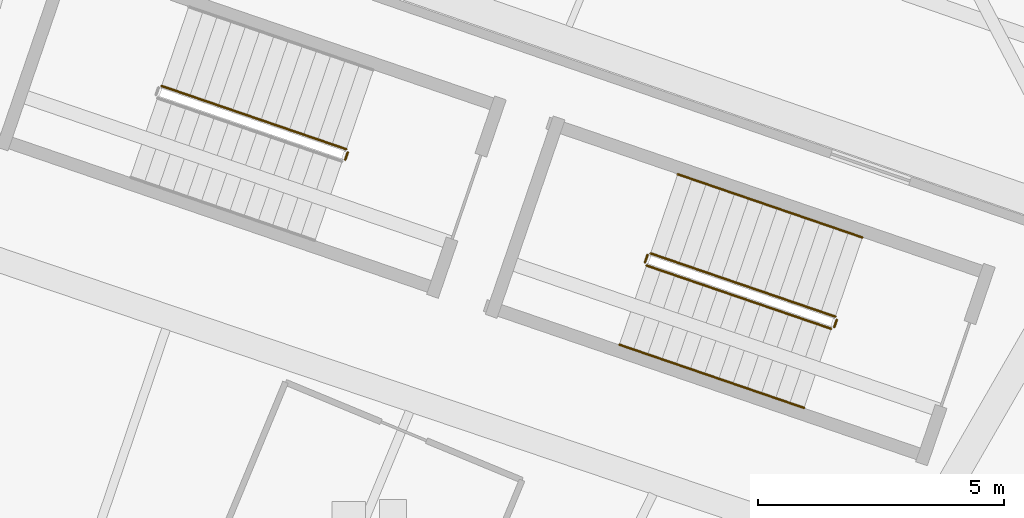
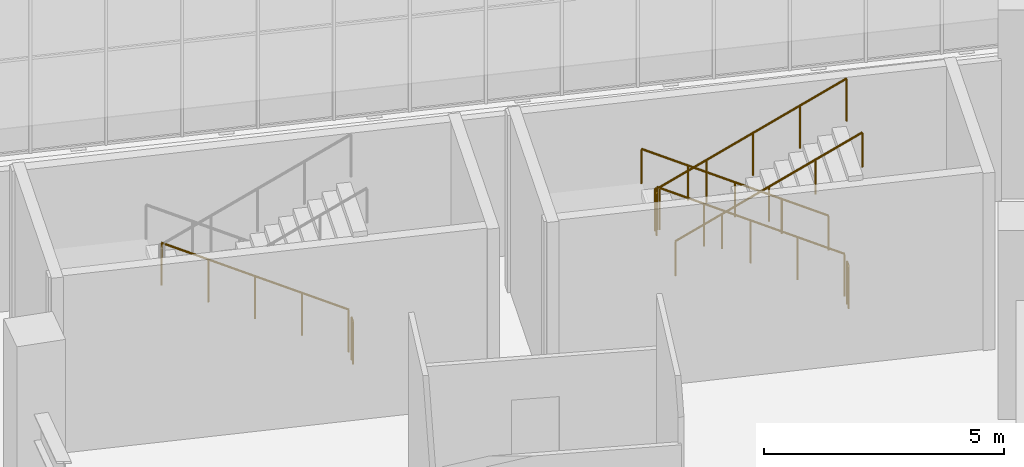
# One storey, part 170 of 179: 8 railings.
"""IFC4 building model written with IfcOpenShell, lengths in metres."""

from ifc_helpers import new_model, si_unit, direction, frame, origin, origin_2d, place, context, subcontext, project, spatial, circle, extrude, material, type_object, element, save


model = new_model("IFC4")

# Units and contexts
model_context = context("Model", 3, precision=1e-05, world=origin(), true_north=direction((0.0, 1.0)))
body_context = subcontext(model_context, "Body", "Model", "MODEL_VIEW")
ifc_project = project(units=[si_unit("LENGTHUNIT", "METRE"), si_unit("AREAUNIT", "SQUARE_METRE"), si_unit("VOLUMEUNIT", "CUBIC_METRE"), si_unit("PLANEANGLEUNIT", "RADIAN"), si_unit("MASSUNIT", "GRAM", prefix="KILO")], contexts=[model_context])

# Site, building, storey
site_placement = place(None, origin())
site = spatial("IfcSite", under=ifc_project, at=site_placement, CompositionType="ELEMENT")
building_placement = place(site_placement, origin())
building = spatial("IfcBuilding", under=site, at=building_placement, Name="Zevraka Park Crest Stadium", CompositionType="ELEMENT")
storey_placement = place(building_placement, frame((0.0, 0.0, 10.199951171875)))
storey = spatial("IfcBuildingStorey", under=building, at=storey_placement, Name="L02", CompositionType="ELEMENT", Elevation=10.199951171875)

# Railings
ifc_material_1 = material(Name="Powder-coated tubular steel stairwell guard", Category="steel")
railing_type_1 = type_object("IfcRailingType", Name="GR03", PredefinedType="GUARDRAIL", material=ifc_material_1)
railing_1_placement = place(storey_placement, frame((151.781982421875, 155.350341796875, 0.17138671875)))
element("IfcRailing", 1, at=railing_1_placement, inside=storey, type_object=railing_type_1, Name="L02 ST05 stair guard 1", PredefinedType="GUARDRAIL", context=body_context, shape_type="SweptSolid", body=[
    extrude(circle(Radius=0.02392578125, at=origin_2d()), frame((0.0, 0.0, 1.076171875), z_axis=(-0.824717605898, 0.282384596462, 0.489999806329), x_axis=(-0.323938619155, -0.946078099852, 0.0)), (0.0, 0.0, 1.0), 4.548583984375),
    extrude(circle(Radius=0.02099609375, at=origin_2d()), origin(), (0.0, 0.0, 1.0), 1.052001953125),
    extrude(circle(Radius=0.02099609375, at=origin_2d()), frame((-0.937744140625, 0.321044921875, 0.55712890625)), (0.0, 0.0, 1.0), 1.052001953125),
    extrude(circle(Radius=0.02099609375, at=origin_2d()), frame((-1.87548828125, 0.64208984375, 1.1142578125)), (0.0, 0.0, 1.0), 1.052001953125),
    extrude(circle(Radius=0.02099609375, at=origin_2d()), frame((-2.8134765625, 0.96337890625, 1.671630859375)), (0.0, 0.0, 1.0), 1.052001953125),
    extrude(circle(Radius=0.02099609375, at=origin_2d()), frame((-3.751220703125, 1.284423828125, 2.228759765625)), (0.0, 0.0, 1.0), 1.052001953125),
])
railing_2_placement = place(storey_placement, frame((147.96728515625, 156.603759765625, 2.400146484375)))
element("IfcRailing", 2, at=railing_2_placement, inside=storey, type_object=railing_type_1, Name="L02 ST05 stair guard 2", PredefinedType="GUARDRAIL", context=body_context, shape_type="SweptSolid", body=[
    extrude(circle(Radius=0.02392578125, at=origin_2d()), frame((0.0, 0.0, 1.076171875), z_axis=(-0.324909238665, -0.945745201748, 0.0), x_axis=(0.945745201748, -0.324909238665, 0.0)), (0.0, 0.0, 1.0), 0.16015625),
    extrude(circle(Radius=0.02099609375, at=origin_2d()), origin(), (0.0, 0.0, 1.0), 1.052001953125),
    extrude(circle(Radius=0.02099609375, at=origin_2d()), frame((-0.052001953125, -0.1513671875, 0.0)), (0.0, 0.0, 1.0), 1.052001953125),
])
railing_3_placement = place(storey_placement, frame((147.946533203125, 156.388916015625, 2.571533203125)))
element("IfcRailing", 3, at=railing_3_placement, inside=storey, type_object=railing_type_1, Name="L02 ST05 stair guard 3", PredefinedType="GUARDRAIL", context=body_context, shape_type="SweptSolid", body=[
    extrude(circle(Radius=0.02392578125, at=origin_2d()), frame((0.0, 0.0, 1.076171875), z_axis=(0.824726794133, -0.282441418206, 0.489951589772), x_axis=(0.32399372979, 0.946059228091, 0.0)), (0.0, 0.0, 1.0), 4.54833984375),
    extrude(circle(Radius=0.02099609375, at=origin_2d()), origin(), (0.0, 0.0, 1.0), 1.052001953125),
    extrude(circle(Radius=0.02099609375, at=origin_2d()), frame((0.937744140625, -0.3212890625, 0.55712890625)), (0.0, 0.0, 1.0), 1.052001953125),
    extrude(circle(Radius=0.02099609375, at=origin_2d()), frame((1.87548828125, -0.642333984375, 1.1142578125)), (0.0, 0.0, 1.0), 1.052001953125),
    extrude(circle(Radius=0.02099609375, at=origin_2d()), frame((2.8134765625, -0.96337890625, 1.67138671875)), (0.0, 0.0, 1.0), 1.052001953125),
    extrude(circle(Radius=0.02099609375, at=origin_2d()), frame((3.751220703125, -1.28466796875, 2.228515625)), (0.0, 0.0, 1.0), 1.052001953125),
])
railing_4_placement = place(storey_placement, frame((151.81298828125, 155.286865234375, 0.0)))
element("IfcRailing", 4, at=railing_4_placement, inside=storey, type_object=railing_type_1, Name="L02 ST05 stair guard 4", PredefinedType="GUARDRAIL", context=body_context, shape_type="SweptSolid", body=[
    extrude(circle(Radius=0.02392578125, at=origin_2d()), frame((0.0, 0.0, 1.076171875), z_axis=(-0.32354385955, -0.946213174156, 0.0), x_axis=(0.946213174156, -0.32354385955, 0.0)), (0.0, 0.0, 1.0), 0.159912109375),
    extrude(circle(Radius=0.02099609375, at=origin_2d()), origin(), (0.0, 0.0, 1.0), 1.052001953125),
    extrude(circle(Radius=0.02099609375, at=origin_2d()), frame((-0.0517578125, -0.1513671875, 0.0)), (0.0, 0.0, 1.0), 1.052001953125),
])
railing_5_placement = place(storey_placement, frame((141.847900390625, 158.751220703125, 0.17138671875)))
element("IfcRailing", 5, at=railing_5_placement, inside=storey, type_object=railing_type_1, Name="L02 ST25 stair guard 1", PredefinedType="GUARDRAIL", context=body_context, shape_type="SweptSolid", body=[
    extrude(circle(Radius=0.02392578125, at=origin_2d()), frame((0.0, 0.0, 1.076171875), z_axis=(-0.824705104737, 0.282433990311, 0.489992378857), x_axis=(-0.32399372979, -0.946059228091, 0.0)), (0.0, 0.0, 1.0), 4.548583984375),
    extrude(circle(Radius=0.02099609375, at=origin_2d()), origin(), (0.0, 0.0, 1.0), 1.052001953125),
    extrude(circle(Radius=0.02099609375, at=origin_2d()), frame((-0.937744140625, 0.3212890625, 0.55712890625)), (0.0, 0.0, 1.0), 1.052001953125),
    extrude(circle(Radius=0.02099609375, at=origin_2d()), frame((-1.87548828125, 0.642333984375, 1.1142578125)), (0.0, 0.0, 1.0), 1.052001953125),
    extrude(circle(Radius=0.02099609375, at=origin_2d()), frame((-2.8134765625, 0.96337890625, 1.671630859375)), (0.0, 0.0, 1.0), 1.052001953125),
    extrude(circle(Radius=0.02099609375, at=origin_2d()), frame((-3.751220703125, 1.28466796875, 2.228759765625)), (0.0, 0.0, 1.0), 1.052001953125),
])
railing_6_placement = place(storey_placement, frame((141.87890625, 158.687744140625, 0.0)))
element("IfcRailing", 6, at=railing_6_placement, inside=storey, type_object=railing_type_1, Name="L02 ST25 stair guard 4", PredefinedType="GUARDRAIL", context=body_context, shape_type="SweptSolid", body=[
    extrude(circle(Radius=0.02392578125, at=origin_2d()), frame((0.0, 0.0, 1.076171875), z_axis=(-0.32354385955, -0.946213174156, 0.0), x_axis=(0.946213174156, -0.32354385955, 0.0)), (0.0, 0.0, 1.0), 0.159912109375),
    extrude(circle(Radius=0.02099609375, at=origin_2d()), origin(), (0.0, 0.0, 1.0), 1.052001953125),
    extrude(circle(Radius=0.02099609375, at=origin_2d()), frame((-0.0517578125, -0.1513671875, 0.0)), (0.0, 0.0, 1.0), 1.052001953125),
])
ifc_material_2 = material(Name="Brushed stainless steel continuous handrail", Category="steel")
railing_type_2 = type_object("IfcRailingType", Name="HR01", PredefinedType="HANDRAIL", material=ifc_material_2)
railing_7_placement = place(storey_placement, frame((152.33251953125, 156.958740234375, 0.17138671875)))
element("IfcRailing", 7, at=railing_7_placement, inside=storey, type_object=railing_type_2, Name="L02 ST05 stair handrail 1", PredefinedType="HANDRAIL", context=body_context, shape_type="SweptSolid", body=[
    extrude(circle(Radius=0.02392578125, at=origin_2d()), frame((0.0, 0.0, 0.8759765625), z_axis=(-0.824700437274, 0.282397097143, 0.490021497779), x_axis=(-0.323957490722, -0.946071637988, 0.0)), (0.0, 0.0, 1.0), 4.54833984375),
    extrude(circle(Radius=0.02099609375, at=origin_2d()), origin(), (0.0, 0.0, 1.0), 0.851806640625),
    extrude(circle(Radius=0.02099609375, at=origin_2d()), frame((-0.937744140625, 0.321044921875, 0.55712890625)), (0.0, 0.0, 1.0), 0.851806640625),
    extrude(circle(Radius=0.02099609375, at=origin_2d()), frame((-1.87548828125, 0.64208984375, 1.1142578125)), (0.0, 0.0, 1.0), 0.851806640625),
    extrude(circle(Radius=0.02099609375, at=origin_2d()), frame((-2.813232421875, 0.96337890625, 1.671630859375)), (0.0, 0.0, 1.0), 0.851806640625),
    extrude(circle(Radius=0.02099609375, at=origin_2d()), frame((-3.7509765625, 1.284423828125, 2.228759765625)), (0.0, 0.0, 1.0), 0.851806640625),
])
railing_8_placement = place(storey_placement, frame((147.395751953125, 154.780517578125, 2.571533203125)))
element("IfcRailing", 8, at=railing_8_placement, inside=storey, type_object=railing_type_2, Name="L02 ST05 stair handrail 2", PredefinedType="HANDRAIL", context=body_context, shape_type="SweptSolid", body=[
    extrude(circle(Radius=0.02392578125, at=origin_2d()), frame((0.0, 0.0, 0.8759765625), z_axis=(0.824739296281, -0.282392023283, 0.489959017016), x_axis=(0.323938619155, 0.946078099852, 0.0)), (0.0, 0.0, 1.0), 4.54833984375),
    extrude(circle(Radius=0.02099609375, at=origin_2d()), origin(), (0.0, 0.0, 1.0), 0.851806640625),
    extrude(circle(Radius=0.02099609375, at=origin_2d()), frame((0.937744140625, -0.321044921875, 0.55712890625)), (0.0, 0.0, 1.0), 0.851806640625),
    extrude(circle(Radius=0.02099609375, at=origin_2d()), frame((1.87548828125, -0.64208984375, 1.1142578125)), (0.0, 0.0, 1.0), 0.851806640625),
    extrude(circle(Radius=0.02099609375, at=origin_2d()), frame((2.8134765625, -0.96337890625, 1.67138671875)), (0.0, 0.0, 1.0), 0.851806640625),
    extrude(circle(Radius=0.02099609375, at=origin_2d()), frame((3.751220703125, -1.284423828125, 2.228515625)), (0.0, 0.0, 1.0), 0.851806640625),
])

save(model, "model.ifc")
